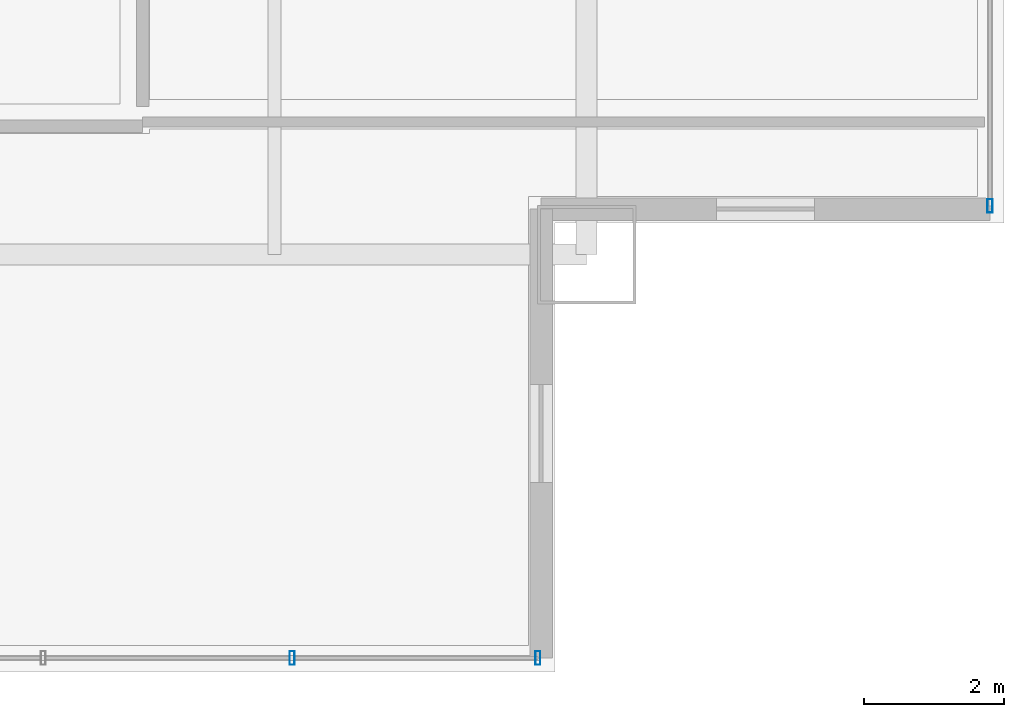
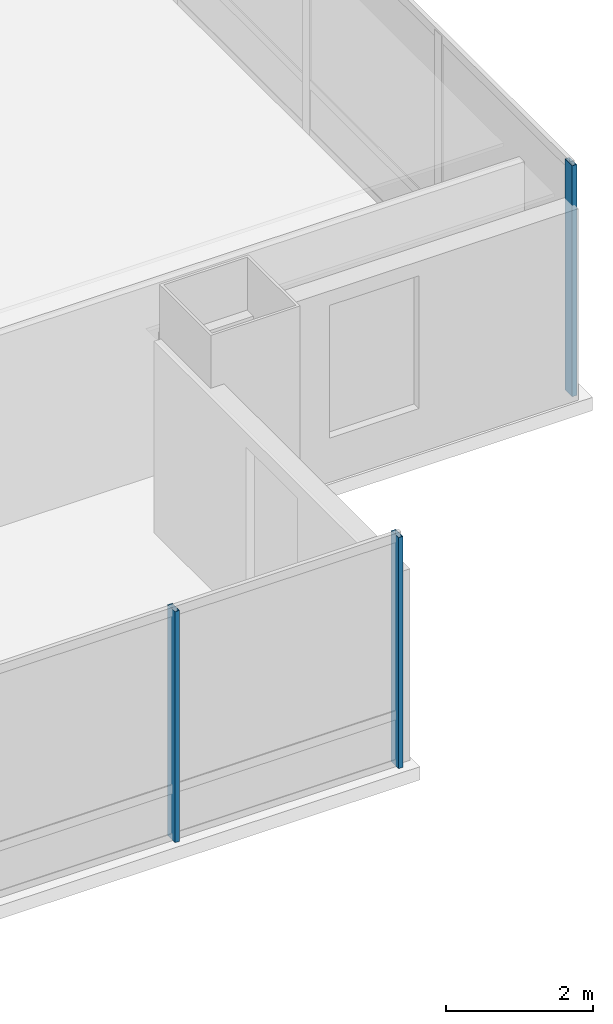
# One storey, part 14 of 37: 3 members, 2 elements without a shape of their own.
"""IFC4 building model written with IfcOpenShell, lengths in metres."""

from ifc_helpers import new_model, si_unit, direction, frame, origin, origin_2d, place, context, subcontext, project, spatial, hollow_rectangle, extrude, material, material_profile, profile_set, type_object, element, aggregate, save


model = new_model("IFC4")

# Units and contexts
model_context = context("Model", 3, precision=1e-05, world=origin(), true_north=direction((0.0, 1.0)))
body_context = subcontext(model_context, "Body", "Model", "MODEL_VIEW")
ifc_project = project(units=[si_unit("LENGTHUNIT", "METRE"), si_unit("AREAUNIT", "SQUARE_METRE"), si_unit("VOLUMEUNIT", "CUBIC_METRE"), si_unit("PLANEANGLEUNIT", "RADIAN"), si_unit("MASSUNIT", "GRAM", prefix="KILO")], contexts=[model_context])

# Site, building, storey
site_placement = place(None, origin())
site = spatial("IfcSite", under=ifc_project, at=site_placement, CompositionType="ELEMENT")
building_placement = place(site_placement, origin())
building = spatial("IfcBuilding", under=site, at=building_placement, Name="Punatoya Terracotta Tower", CompositionType="ELEMENT")
storey_placement = place(building_placement, frame((0.0, 0.0, 224.85009765625)))
storey = spatial("IfcBuildingStorey", under=building, at=storey_placement, Name="L53", CompositionType="ELEMENT", Elevation=224.85009765625)

# Curtain wall, members
ifc_material_1 = material(Name="Aluminium 6063-T6 + Double Low-E Glass", Category="aluminium")
curtain_wall_type = type_object("IfcCurtainWallType", Name="CW-M2", PredefinedType="NOTDEFINED", material=ifc_material_1)
curtain_wall_1_placement = place(storey_placement, origin())
curtain_wall_1 = element("IfcCurtainWall", 1, at=curtain_wall_1_placement, inside=storey, type_object=curtain_wall_type, Name="L53 Curtain Wall CW-L53-S01-1", PredefinedType="NOTDEFINED")
ifc_material_2 = material(Name="Aluminium 6063-T6", Category="aluminium")
ifc_material_profile = material_profile(ifc_material_2, hollow_rectangle(XDim=0.072021484375, YDim=0.195068359375, WallThickness=0.00439453125, at=origin_2d()))
ifc_profile_set = profile_set([ifc_material_profile], Name="Aluminium 6063-T6")
member_type = type_object("IfcMemberType", Name="CW-MUL-M2", PredefinedType="MULLION", material=ifc_profile_set)
member_1_placement = place(storey_placement, frame((14.9013671875, -23.25, 0.0), z_axis=(0.0, 0.0, 1.0), x_axis=(1.0, 0.0, 0.0)))
member_1 = element("IfcMember", 2, at=member_1_placement, type_object=member_type, Name="CW-L53-S01-1 Mullion 09", PredefinedType="MULLION", context=body_context, shape_type="SweptSolid", body=[
    extrude(hollow_rectangle(XDim=0.072021484375, YDim=0.195068359375, WallThickness=0.00439453125, at=origin_2d()), origin(), (0.0, 0.0, 1.0), 3.829833984375),
])
member_2_placement = place(storey_placement, frame((18.405029296875, -23.25, 0.0), z_axis=(0.0, 0.0, 1.0), x_axis=(1.0, 0.0, 0.0)))
member_2 = element("IfcMember", 3, at=member_2_placement, type_object=member_type, Name="CW-L53-S01-1 Mullion 10", PredefinedType="MULLION", context=body_context, shape_type="SweptSolid", body=[
    extrude(hollow_rectangle(XDim=0.072021484375, YDim=0.195068359375, WallThickness=0.00439453125, at=origin_2d()), origin(), (0.0, 0.0, 1.0), 3.829833984375),
])
aggregate(curtain_wall_1, [member_1, member_2])

# Curtain wall, member
curtain_wall_2_placement = place(storey_placement, origin())
curtain_wall_2 = element("IfcCurtainWall", 4, at=curtain_wall_2_placement, inside=storey, type_object=curtain_wall_type, Name="L53 Curtain Wall CW-L53-E04-1", PredefinedType="NOTDEFINED")
member_3_placement = place(storey_placement, frame((24.85009765625, -16.804931640625, 0.0), z_axis=(0.0, 0.0, 1.0), x_axis=(1.0, 0.0, 0.0)))
member_3 = element("IfcMember", 5, at=member_3_placement, type_object=member_type, Name="CW-L53-E04-1 Mullion 00", PredefinedType="MULLION", context=body_context, shape_type="SweptSolid", body=[
    extrude(hollow_rectangle(XDim=0.072021484375, YDim=0.195068359375, WallThickness=0.00439453125, at=origin_2d()), origin(), (0.0, 0.0, 1.0), 3.829833984375),
])
aggregate(curtain_wall_2, [member_3])

save(model, "model.ifc")
